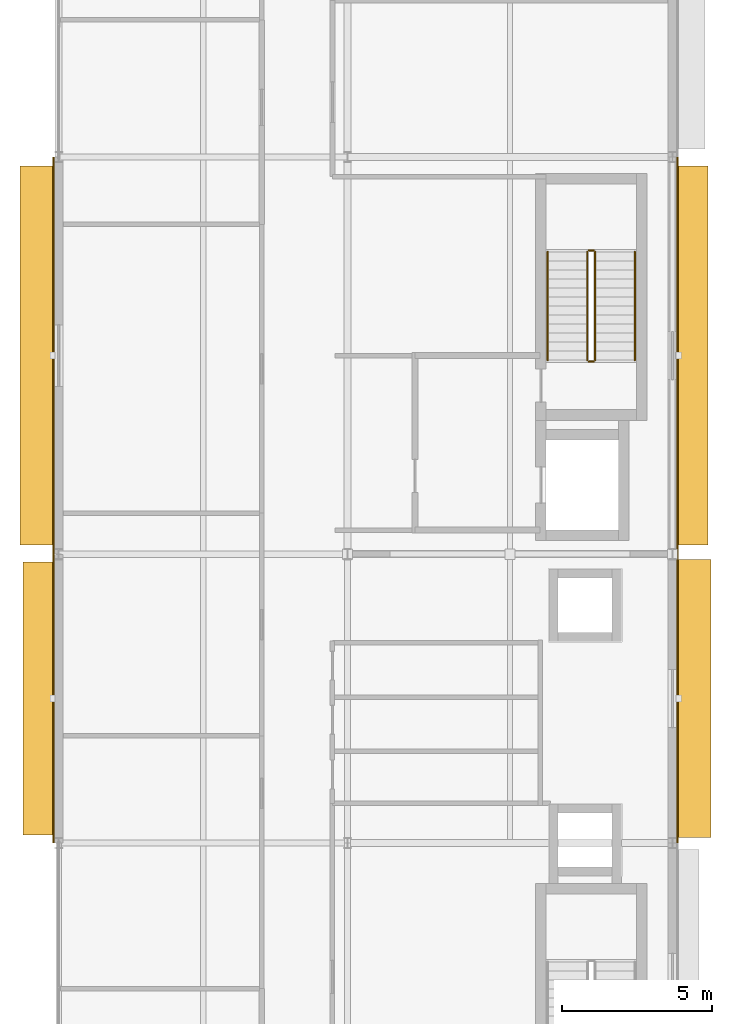
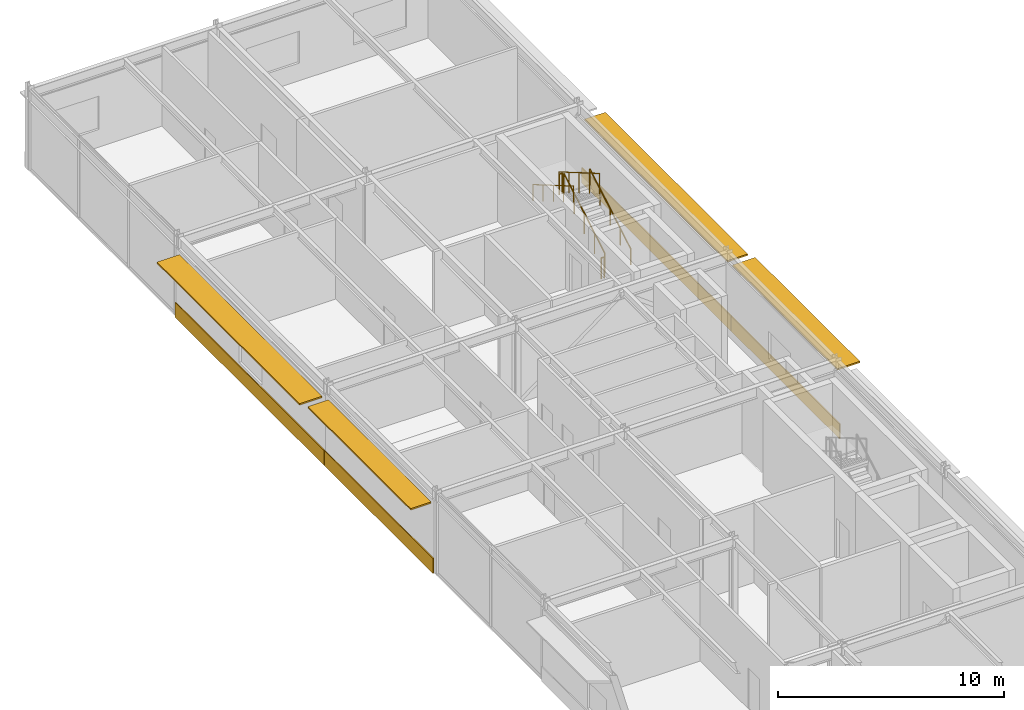
# One storey, part 16 of 17: 6 railings, 4 coverings, 4 shading devices.
"""IFC4 building model written with IfcOpenShell, lengths in metres."""

import ifcopenshell
import ifcopenshell.guid

model = None  # the IFC model being written
_history = None  # IfcOwnerHistory: only IFC2X3 demands one
_inside = {}  # id of a spatial element -> (the spatial element, [elements in it])
_under = {}  # id of a project, library or spatial element -> (it, [spatial elements below it])
_declared = {}  # id of a project -> (the project, [libraries it declares])
_typed = {}  # id of a type object -> (the type object, [elements of that type])
_made_of = {}  # id of a material, layer set ... -> (it, [elements and type objects made of it])


def new_model(schema):
    """Start an empty IFC model of exactly this schema.

    Asked for "IFC4X3", IfcOpenShell would pick the latest addendum, in which some entities
    have other attributes; the version numbers below select the first issue.
    IFC2X3 requires an IfcOwnerHistory on every rooted entity: one is made here for all.
    """
    global model, _history
    if schema == "IFC4X3":
        model = ifcopenshell.file(schema_version=(4, 3, 0, 0))
    else:
        model = ifcopenshell.file(schema=schema)
    _inside.clear()
    _under.clear()
    _declared.clear()
    _typed.clear()
    _made_of.clear()
    _history = None
    if model.schema == "IFC2X3":
        org = make("IfcOrganization", Name="unknown")
        user = make(
            "IfcPersonAndOrganization",
            ThePerson=make("IfcPerson", FamilyName="unknown"),
            TheOrganization=org,
        )
        app = make(
            "IfcApplication",
            ApplicationDeveloper=org,
            Version="unknown",
            ApplicationFullName="unknown",
            ApplicationIdentifier="unknown",
        )
        _history = make(
            "IfcOwnerHistory",
            OwningUser=user,
            OwningApplication=app,
            ChangeAction="ADDED",
            CreationDate=0,
        )
    return model


def make(cls, **values):
    """One entity of the class cls with the attributes given. An attribute that is None is left unset."""
    return model.create_entity(
        cls, **{name: value for name, value in values.items() if value is not None}
    )


def rooted(cls, **values):
    """An entity with a GlobalId (a new one), such as an element, a storey or a relation."""
    return make(cls, GlobalId=ifcopenshell.guid.new(), OwnerHistory=_history, **values)


def si_unit(unit_type, name, prefix=None):
    """IfcSIUnit, for example si_unit("LENGTHUNIT", "METRE", prefix="MILLI")."""
    return make("IfcSIUnit", UnitType=unit_type, Prefix=prefix, Name=name)


def assignment(units):
    """IfcUnitAssignment: the units of a project."""
    return None if units is None else make("IfcUnitAssignment", Units=units)


def point(xyz):
    """IfcCartesianPoint."""
    return None if xyz is None else make("IfcCartesianPoint", Coordinates=xyz)


def direction(xyz):
    """IfcDirection."""
    return None if xyz is None else make("IfcDirection", DirectionRatios=xyz)


def frame(location, z_axis=None, x_axis=None):
    """IfcAxis2Placement3D, a coordinate frame: its origin and axes. An axis left out is left unset."""
    return make(
        "IfcAxis2Placement3D",
        Location=point(location),
        Axis=direction(z_axis),
        RefDirection=direction(x_axis),
    )


def frame_2d(location, x_axis=None):
    """IfcAxis2Placement2D, a coordinate frame in the plane: its origin and x axis."""
    return make(
        "IfcAxis2Placement2D", Location=point(location), RefDirection=direction(x_axis)
    )


def origin():
    """The frame at (0, 0, 0) with its axes left unset."""
    return frame((0.0, 0.0, 0.0))


def origin_2d():
    """The frame at (0, 0) in the plane with its x axis left unset."""
    return frame_2d((0.0, 0.0))


def place(relative_to, where):
    """IfcLocalPlacement: puts the frame where relative to a parent placement (None: the world)."""
    return make(
        "IfcLocalPlacement", PlacementRelTo=relative_to, RelativePlacement=where
    )


def context(
    kind, dimensions, precision=None, world=None, true_north=None, identifier=None
):
    """IfcGeometricRepresentationContext, for example the 3D "Model" context."""
    return make(
        "IfcGeometricRepresentationContext",
        ContextIdentifier=identifier,
        ContextType=kind,
        CoordinateSpaceDimension=dimensions,
        Precision=precision,
        WorldCoordinateSystem=world,
        TrueNorth=true_north,
    )


def subcontext(parent, identifier, kind, view, scale=None):
    """IfcGeometricRepresentationSubContext, for example "Body" below "Model"."""
    return make(
        "IfcGeometricRepresentationSubContext",
        ContextIdentifier=identifier,
        ContextType=kind,
        ParentContext=parent,
        TargetScale=scale,
        TargetView=view,
    )


def project(units=None, contexts=None):
    """IfcProject with its units and contexts."""
    return rooted(
        "IfcProject",
        Name="project",
        RepresentationContexts=contexts,
        UnitsInContext=assignment(units),
    )


def spatial(cls, under=None, at=None, **own):
    """A site, building, storey or space (cls), placed at a placement, below another one or the project."""
    s = rooted(cls, ObjectPlacement=at, **own)
    if under is not None:
        _under.setdefault(under.id(), (under, []))[1].append(s)
    return s


def profile(cls, at=None, kind="AREA", **sizes):
    """A parametric profile (cls). Its sizes go by their IFC names, for example OverallWidth=200.0."""
    return make(cls, ProfileType=kind, Position=at, **sizes)


def rectangle(**sizes):
    """IfcRectangleProfileDef."""
    return profile("IfcRectangleProfileDef", **sizes)


def circle(**sizes):
    """IfcCircleProfileDef."""
    return profile("IfcCircleProfileDef", **sizes)


def extrude(swept, where, along, depth):
    """IfcExtrudedAreaSolid: the profile swept, set in the frame where, extruded along a direction by depth."""
    return make(
        "IfcExtrudedAreaSolid",
        SweptArea=swept,
        Position=where,
        ExtrudedDirection=direction(along),
        Depth=depth,
    )


def shape(context_of_items, identifier, shape_type, items):
    """IfcShapeRepresentation: the items that make up one representation, for example the "Body"."""
    return make(
        "IfcShapeRepresentation",
        ContextOfItems=context_of_items,
        RepresentationIdentifier=identifier,
        RepresentationType=shape_type,
        Items=items,
    )


def material(Name=None, Category=None):
    """IfcMaterial."""
    return make("IfcMaterial", Name=Name, Category=Category)


def layer(
    of_material, thickness, ventilated=None, Name=None, Category=None, Priority=None
):
    """IfcMaterialLayer: one layer of a wall or slab, of a material (None: an air gap)."""
    return make(
        "IfcMaterialLayer",
        Material=of_material,
        LayerThickness=thickness,
        IsVentilated=ventilated,
        Name=Name,
        Category=Category,
        Priority=Priority,
    )


def layer_set(layers, Name=None):
    """IfcMaterialLayerSet."""
    return make("IfcMaterialLayerSet", MaterialLayers=layers, LayerSetName=Name)


def made_of(thing, what):
    """Note that an element or type object is made of a material, layer set ...; save() writes the relation."""
    if what is not None:
        _made_of.setdefault(what.id(), (what, []))[1].append(thing)
    return thing


def type_object(cls, material=None, **own):
    """A type object (cls), such as IfcWallType, which elements share."""
    return made_of(rooted(cls, **own), material)


def element(
    cls,
    number,
    at=None,
    inside=None,
    cuts=None,
    type_object=None,
    material=None,
    context=None,
    identifier="Body",
    shape_type=None,
    held_by="IfcProductDefinitionShape",
    body=None,
    shapes=None,
    **own,
):
    """One element of the class cls, such as IfcWall. Its Tag is "e" and its number.

    at: its placement. inside: the storey or other place that contains it. cuts: it is an
    opening in that element (IfcRelVoidsElement). A single representation is given by context,
    identifier, shape_type and body (its items); several are given by shapes. held_by: the class
    of the entity that holds the representations. save() writes the other relations.
    """
    e = rooted(cls, Tag="e%d" % number, ObjectPlacement=at, **own)
    if body is not None:
        shapes = [shape(context, identifier, shape_type, body)]
    if shapes is not None:
        e.Representation = make(held_by, Representations=shapes)
    if inside is not None:
        _inside.setdefault(inside.id(), (inside, []))[1].append(e)
    if cuts is not None:
        rooted(
            "IfcRelVoidsElement", RelatingBuildingElement=cuts, RelatedOpeningElement=e
        )
    if type_object is not None:
        _typed.setdefault(type_object.id(), (type_object, []))[1].append(e)
    return made_of(e, material)


def aggregate(whole, parts):
    """IfcRelAggregates: a whole, such as a stair, and the parts it consists of."""
    return rooted("IfcRelAggregates", RelatingObject=whole, RelatedObjects=parts)


def save(model, path):
    """Write the relations noted so far, then the file.

    IfcRelAggregates (storeys below a building ...), IfcRelContainedInSpatialStructure (elements
    in a storey), IfcRelDefinesByType, IfcRelAssociatesMaterial and IfcRelDeclares: one each for
    every whole, place, type object, material and project.
    """
    for whole, parts in _under.values():
        aggregate(whole, parts)
    for where, things in _inside.values():
        rooted(
            "IfcRelContainedInSpatialStructure",
            RelatedElements=things,
            RelatingStructure=where,
        )
    for kind, things in _typed.values():
        rooted("IfcRelDefinesByType", RelatedObjects=things, RelatingType=kind)
    for what, things in _made_of.values():
        rooted("IfcRelAssociatesMaterial", RelatedObjects=things, RelatingMaterial=what)
    for by, libraries in _declared.values():
        rooted("IfcRelDeclares", RelatingContext=by, RelatedDefinitions=libraries)
    model.write(path)


model = new_model("IFC4")

# Units and contexts
model_context = context("Model", 3, precision=1e-05, world=origin(), true_north=direction((0.0, 1.0)))
body_context = subcontext(model_context, "Body", "Model", "MODEL_VIEW")
ifc_project = project(units=[si_unit("LENGTHUNIT", "METRE"), si_unit("AREAUNIT", "SQUARE_METRE"), si_unit("VOLUMEUNIT", "CUBIC_METRE"), si_unit("PLANEANGLEUNIT", "RADIAN"), si_unit("MASSUNIT", "GRAM", prefix="KILO")], contexts=[model_context])

# Site, building, storey
site_placement = place(None, origin())
site = spatial("IfcSite", under=ifc_project, at=site_placement, CompositionType="ELEMENT")
building_placement = place(site_placement, origin())
building = spatial("IfcBuilding", under=site, at=building_placement, Name="Almandine Court Research Institute", CompositionType="ELEMENT")
storey_placement = place(building_placement, frame((0.0, 0.0, 32.550048828125)))
storey = spatial("IfcBuildingStorey", under=building, at=storey_placement, Name="L07", CompositionType="ELEMENT", Elevation=32.550048828125)

# Coverings
ifc_material_1 = material(Name="Extruded Cream-Ochre Seismic Terracotta Spandrel", Category="masonry")
ifc_layer_1 = layer(ifc_material_1, 0.054931640625)
ifc_layer_set_1 = layer_set([ifc_layer_1], Name="Extruded Cream-Ochre Seismic Terracotta Spandrel")
covering_type = type_object("IfcCoveringType", Name="Cov-CLAD-TERR", PredefinedType="CLADDING", material=ifc_layer_set_1)
covering_1_placement = place(storey_placement, frame((153.428955078125, 39.60009765625, 0.02001953125), z_axis=(0.0, 0.0, 1.0), x_axis=(0.0, 1.0, 0.0)))
element("IfcCovering", 1, at=covering_1_placement, inside=storey, type_object=covering_type, Name="L07 Facade Spandrel Cladding Band 216", PredefinedType="CLADDING", context=body_context, shape_type="SweptSolid", body=[
    extrude(rectangle(XDim=9.592041015625, YDim=0.054931640625, at=origin_2d()), origin(), (0.0, 0.0, 1.0), 0.800048828125),
])
for number, where, z_axis, x_axis, name in (
    (2, (153.428955078125, 51.0, 0.02001953125), (0.0, 0.0, 1.0), (0.0, 1.0, 0.0), "L07 Facade Spandrel Cladding Band 217"),
    (3, (174.1708984375, 51.0, 0.02001953125), (0.0, 0.0, 1.0), (0.0, -1.0, 0.0), "L07 Facade Spandrel Cladding Band 221"),
):
    element("IfcCovering", number, at=place(storey_placement, frame(where, z_axis=z_axis, x_axis=x_axis)), inside=storey, type_object=covering_type, Name=name, PredefinedType="CLADDING", context=body_context, shape_type="SweptSolid", body=[
        extrude(rectangle(XDim=13.19189453125, YDim=0.054931640625, at=origin_2d()), origin(), (0.0, 0.0, 1.0), 0.800048828125),
    ])
covering_2_placement = place(storey_placement, frame((174.1708984375, 39.60009765625, 0.02001953125), z_axis=(0.0, 0.0, 1.0), x_axis=(0.0, -1.0, 0.0)))
element("IfcCovering", 4, at=covering_2_placement, inside=storey, type_object=covering_type, Name="L07 Facade Spandrel Cladding Band 222", PredefinedType="CLADDING", context=body_context, shape_type="SweptSolid", body=[
    extrude(rectangle(XDim=9.592041015625, YDim=0.054931640625, at=origin_2d()), origin(), (0.0, 0.0, 1.0), 0.800048828125),
])

# Railings
ifc_material_2 = material(Name="Powder-Coated Steel Stair and Atrium Balustrade", Category="steel")
railing_type_1 = type_object("IfcRailingType", Name="Rail-GUARD-INT", PredefinedType="BALUSTRADE", material=ifc_material_2)
railing_1_placement = place(storey_placement, frame((171.429931640625, 50.85009765625, 0.175048828125)))
element("IfcRailing", 5, at=railing_1_placement, inside=storey, type_object=railing_type_1, Name="L07 ST-08 stair guard 1", PredefinedType="BALUSTRADE", context=body_context, shape_type="SweptSolid", body=[
    extrude(circle(Radius=0.02392578125, at=origin_2d()), frame((0.0, 0.0, 1.09619140625), z_axis=(0.0, 0.86378527499, 0.503860098351), x_axis=(-1.0, 0.0, 0.0)), (0.0, 0.0, 1.0), 4.16748046875),
    extrude(circle(Radius=0.02099609375, at=origin_2d()), origin(), (0.0, 0.0, 1.0), 1.072021484375),
    extrude(circle(Radius=0.02099609375, at=origin_2d()), frame((0.0, 0.89990234375, 0.52490234375)), (0.0, 0.0, 1.0), 1.072021484375),
    extrude(circle(Radius=0.02099609375, at=origin_2d()), frame((0.0, 1.7998046875, 1.0498046875)), (0.0, 0.0, 1.0), 1.072021484375),
    extrude(circle(Radius=0.02099609375, at=origin_2d()), frame((0.0, 2.699951171875, 1.574951171875)), (0.0, 0.0, 1.0), 1.072021484375),
    extrude(circle(Radius=0.02099609375, at=origin_2d()), frame((0.0, 3.599853515625, 2.099853515625)), (0.0, 0.0, 1.0), 1.072021484375),
])
railing_2_placement = place(storey_placement, frame((171.3798828125, 54.5, 2.27490234375)))
element("IfcRailing", 6, at=railing_2_placement, inside=storey, type_object=railing_type_1, Name="L07 ST-08 stair guard 2", PredefinedType="BALUSTRADE", context=body_context, shape_type="SweptSolid", body=[
    extrude(circle(Radius=0.02392578125, at=origin_2d()), frame((0.0, 0.0, 1.09619140625), z_axis=(-1.0, 0.0, 0.0), x_axis=(0.0, -1.0, 0.0)), (0.0, 0.0, 1.0), 0.159912109375),
    extrude(circle(Radius=0.02099609375, at=origin_2d()), origin(), (0.0, 0.0, 1.0), 1.072021484375),
    extrude(circle(Radius=0.02099609375, at=origin_2d()), frame((-0.159912109375, 0.0, 0.0)), (0.0, 0.0, 1.0), 1.072021484375),
])
railing_3_placement = place(storey_placement, frame((171.169921875, 54.449951171875, 2.449951171875)))
element("IfcRailing", 7, at=railing_3_placement, inside=storey, type_object=railing_type_1, Name="L07 ST-08 stair guard 3", PredefinedType="BALUSTRADE", context=body_context, shape_type="SweptSolid", body=[
    extrude(circle(Radius=0.02392578125, at=origin_2d()), frame((0.0, 0.0, 1.09619140625), z_axis=(0.0, -0.863759778359, 0.503903805591), x_axis=(1.0, 0.0, 0.0)), (0.0, 0.0, 1.0), 4.167724609375),
    extrude(circle(Radius=0.02099609375, at=origin_2d()), origin(), (0.0, 0.0, 1.0), 1.072021484375),
    extrude(circle(Radius=0.02099609375, at=origin_2d()), frame((0.0, -0.89990234375, 0.52490234375)), (0.0, 0.0, 1.0), 1.072021484375),
    extrude(circle(Radius=0.02099609375, at=origin_2d()), frame((0.0, -1.7998046875, 1.050048828125)), (0.0, 0.0, 1.0), 1.072021484375),
    extrude(circle(Radius=0.02099609375, at=origin_2d()), frame((0.0, -2.699951171875, 1.5751953125)), (0.0, 0.0, 1.0), 1.072021484375),
    extrude(circle(Radius=0.02099609375, at=origin_2d()), frame((0.0, -3.599853515625, 2.10009765625)), (0.0, 0.0, 1.0), 1.072021484375),
])
railing_4_placement = place(storey_placement, frame((171.3798828125, 50.800048828125, 0.0)))
element("IfcRailing", 8, at=railing_4_placement, inside=storey, type_object=railing_type_1, Name="L07 ST-08 stair guard 4", PredefinedType="BALUSTRADE", context=body_context, shape_type="SweptSolid", body=[
    extrude(circle(Radius=0.02392578125, at=origin_2d()), frame((0.0, 0.0, 1.09619140625), z_axis=(-1.0, 0.0, 0.0), x_axis=(0.0, -1.0, 0.0)), (0.0, 0.0, 1.0), 0.159912109375),
    extrude(circle(Radius=0.02099609375, at=origin_2d()), origin(), (0.0, 0.0, 1.0), 1.072021484375),
    extrude(circle(Radius=0.02099609375, at=origin_2d()), frame((-0.159912109375, 0.0, 0.0)), (0.0, 0.0, 1.0), 1.072021484375),
])
ifc_material_3 = material(Name="Brushed Stainless Steel Wall Handrail", Category="steel")
railing_type_2 = type_object("IfcRailingType", Name="Rail-HAND-INT", PredefinedType="HANDRAIL", material=ifc_material_3)
railing_5_placement = place(storey_placement, frame((172.75, 50.85009765625, 0.175048828125)))
element("IfcRailing", 9, at=railing_5_placement, inside=storey, type_object=railing_type_2, Name="L07 ST-08 stair handrail 1", PredefinedType="HANDRAIL", context=body_context, shape_type="SweptSolid", body=[
    extrude(circle(Radius=0.02392578125, at=origin_2d()), frame((0.0, 0.0, 0.8759765625), z_axis=(0.0, 0.86378527499, 0.503860098351), x_axis=(-1.0, 0.0, 0.0)), (0.0, 0.0, 1.0), 4.16748046875),
    extrude(circle(Radius=0.02099609375, at=origin_2d()), origin(), (0.0, 0.0, 1.0), 0.851806640625),
    extrude(circle(Radius=0.02099609375, at=origin_2d()), frame((0.0, 0.89990234375, 0.52490234375)), (0.0, 0.0, 1.0), 0.851806640625),
    extrude(circle(Radius=0.02099609375, at=origin_2d()), frame((0.0, 1.7998046875, 1.0498046875)), (0.0, 0.0, 1.0), 0.851806640625),
    extrude(circle(Radius=0.02099609375, at=origin_2d()), frame((0.0, 2.699951171875, 1.574951171875)), (0.0, 0.0, 1.0), 0.851806640625),
    extrude(circle(Radius=0.02099609375, at=origin_2d()), frame((0.0, 3.599853515625, 2.099853515625)), (0.0, 0.0, 1.0), 0.851806640625),
])
railing_6_placement = place(storey_placement, frame((169.85009765625, 54.449951171875, 2.449951171875)))
element("IfcRailing", 10, at=railing_6_placement, inside=storey, type_object=railing_type_2, Name="L07 ST-08 stair handrail 2", PredefinedType="HANDRAIL", context=body_context, shape_type="SweptSolid", body=[
    extrude(circle(Radius=0.02392578125, at=origin_2d()), frame((0.0, 0.0, 0.8759765625), z_axis=(0.0, -0.863759778359, 0.503903805591), x_axis=(1.0, 0.0, 0.0)), (0.0, 0.0, 1.0), 4.167724609375),
    extrude(circle(Radius=0.02099609375, at=origin_2d()), origin(), (0.0, 0.0, 1.0), 0.851806640625),
    extrude(circle(Radius=0.02099609375, at=origin_2d()), frame((0.0, -0.89990234375, 0.52490234375)), (0.0, 0.0, 1.0), 0.851806640625),
    extrude(circle(Radius=0.02099609375, at=origin_2d()), frame((0.0, -1.7998046875, 1.050048828125)), (0.0, 0.0, 1.0), 0.851806640625),
    extrude(circle(Radius=0.02099609375, at=origin_2d()), frame((0.0, -2.699951171875, 1.5751953125)), (0.0, 0.0, 1.0), 0.851806640625),
    extrude(circle(Radius=0.02099609375, at=origin_2d()), frame((0.0, -3.599853515625, 2.10009765625)), (0.0, 0.0, 1.0), 0.851806640625),
])

# Shading devices
ifc_material_4 = material(Name="Precast GFRC Chhajja Sunshade and Acoustic Louvre", Category="concrete")
ifc_layer_2 = layer(ifc_material_4, 0.080078125)
ifc_layer_set_2 = layer_set([ifc_layer_2], Name="Precast GFRC Chhajja Sunshade and Acoustic Louvre")
shading_device_type_1 = type_object("IfcShadingDeviceType", Name="Shd-SD-06", PredefinedType="AWNING", material=ifc_layer_set_2)
shading_device_1_placement = place(storey_placement, frame((152.93994140625, 39.60009765625, 3.62890625), z_axis=(0.0, 0.0, 1.0), x_axis=(0.0, 1.0, 0.0)))
element("IfcShadingDevice", 11, at=shading_device_1_placement, inside=storey, type_object=shading_device_type_1, Name="L07 Projecting Chhajja Sunshade 150", PredefinedType="AWNING", context=body_context, shape_type="SweptSolid", body=[
    extrude(rectangle(XDim=9.08203125, YDim=1.050048828125, at=origin_2d()), origin(), (0.0, 0.0, 1.0), 0.080078125),
])
ifc_layer_3 = layer(ifc_material_4, 0.080078125)
ifc_layer_set_3 = layer_set([ifc_layer_3], Name="Precast GFRC Chhajja Sunshade and Acoustic Louvre")
shading_device_type_2 = type_object("IfcShadingDeviceType", Name="Shd-SD-36", PredefinedType="AWNING", material=ifc_layer_set_3)
shading_device_2_placement = place(storey_placement, frame((174.7099609375, 39.60009765625, 3.618896484375), z_axis=(0.0, 0.0, 1.0), x_axis=(0.0, -1.0, 0.0)))
element("IfcShadingDevice", 12, at=shading_device_2_placement, inside=storey, type_object=shading_device_type_2, Name="L07 Projecting Chhajja Sunshade 156", PredefinedType="AWNING", context=body_context, shape_type="SweptSolid", body=[
    extrude(rectangle(XDim=9.241943359375, YDim=1.14990234375, at=origin_2d()), origin(), (0.0, 0.0, 1.0), 0.080078125),
])
ifc_layer_4 = layer(ifc_material_4, 0.080078125)
ifc_layer_set_4 = layer_set([ifc_layer_4], Name="Precast GFRC Chhajja Sunshade and Acoustic Louvre")
shading_device_type_3 = type_object("IfcShadingDeviceType", Name="Shd-SD-68", PredefinedType="AWNING", material=ifc_layer_set_4)
shading_device_3_placement = place(storey_placement, frame((174.659912109375, 51.0, 3.5498046875), z_axis=(0.0, 0.0, 1.0), x_axis=(0.0, -1.0, 0.0)))
element("IfcShadingDevice", 13, at=shading_device_3_placement, inside=storey, type_object=shading_device_type_3, Name="L07 Projecting Chhajja Sunshade 155", PredefinedType="AWNING", context=body_context, shape_type="SweptSolid", body=[
    extrude(rectangle(XDim=12.60205078125, YDim=1.050048828125, at=origin_2d()), origin(), (0.0, 0.0, 1.0), 0.080078125),
])
ifc_layer_5 = layer(ifc_material_4, 0.080078125)
ifc_layer_set_5 = layer_set([ifc_layer_5], Name="Precast GFRC Chhajja Sunshade and Acoustic Louvre")
shading_device_type_4 = type_object("IfcShadingDeviceType", Name="Shd-SD-76", PredefinedType="AWNING", material=ifc_layer_set_5)
shading_device_4_placement = place(storey_placement, frame((152.889892578125, 51.0, 3.476806640625), z_axis=(0.0, 0.0, 1.0), x_axis=(0.0, 1.0, 0.0)))
element("IfcShadingDevice", 14, at=shading_device_4_placement, inside=storey, type_object=shading_device_type_4, Name="L07 Projecting Chhajja Sunshade 151", PredefinedType="AWNING", context=body_context, shape_type="SweptSolid", body=[
    extrude(rectangle(XDim=12.60205078125, YDim=1.14990234375, at=origin_2d()), origin(), (0.0, 0.0, 1.0), 0.080078125),
])

save(model, "model.ifc")
